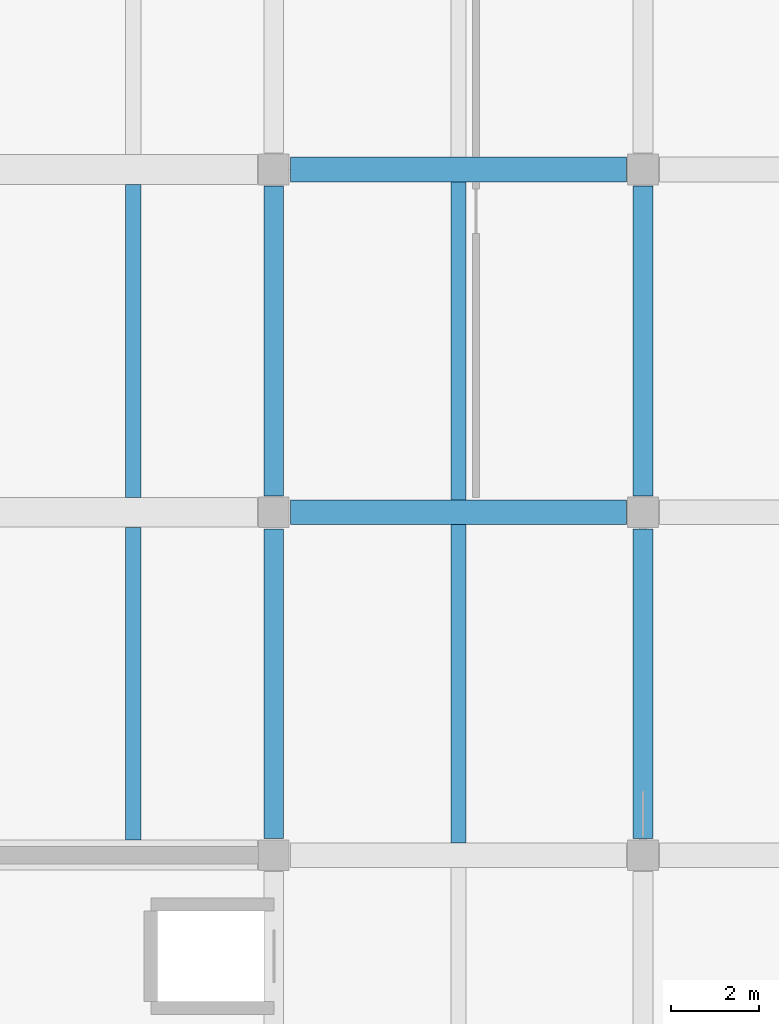
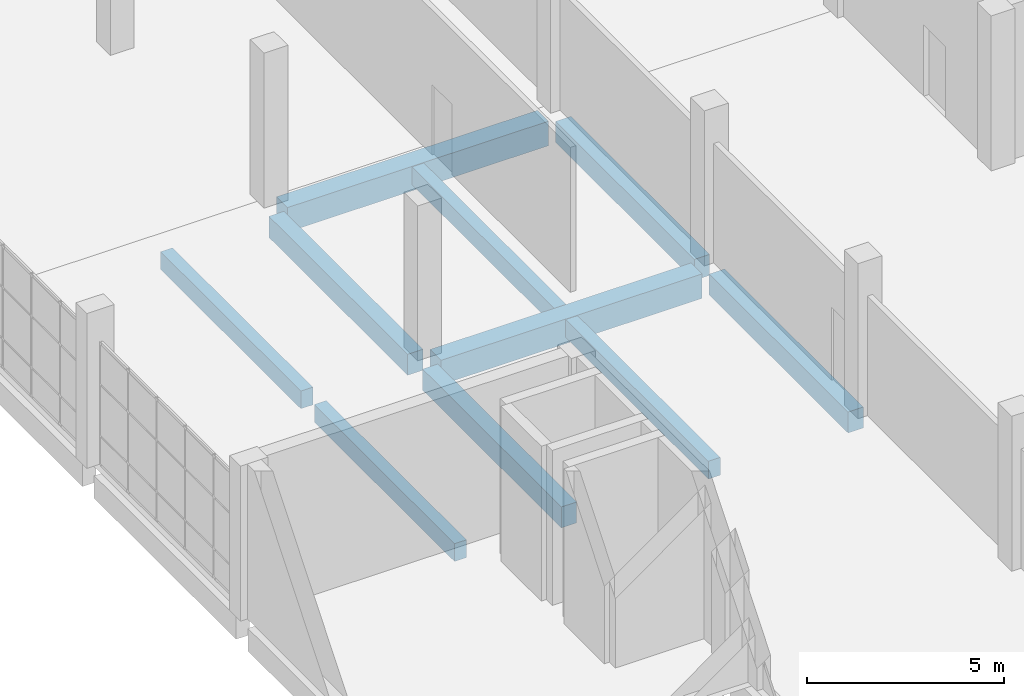
# One storey, part 57 of 91: 10 beams.
"""IFC4 building model written with IfcOpenShell, lengths in metres."""

from ifc_helpers import new_model, si_unit, direction, frame, origin, origin_2d, place, context, subcontext, project, spatial, rectangle, extrude, material, material_profile, profile_set, type_object, element, save


model = new_model("IFC4")

# Units and contexts
model_context = context("Model", 3, precision=1e-05, world=origin(), true_north=direction((0.0, 1.0)))
body_context = subcontext(model_context, "Body", "Model", "MODEL_VIEW")
ifc_project = project(units=[si_unit("LENGTHUNIT", "METRE"), si_unit("AREAUNIT", "SQUARE_METRE"), si_unit("VOLUMEUNIT", "CUBIC_METRE"), si_unit("PLANEANGLEUNIT", "RADIAN"), si_unit("MASSUNIT", "GRAM", prefix="KILO")], contexts=[model_context])

# Site, building, storey
site_placement = place(None, origin())
site = spatial("IfcSite", under=ifc_project, at=site_placement, CompositionType="ELEMENT")
building_placement = place(site_placement, origin())
building = spatial("IfcBuilding", under=site, at=building_placement, Name="Pellamere Symphony Hall", CompositionType="ELEMENT")
storey_placement = place(building_placement, frame((0.0, 0.0, 5.39990234375)))
storey = spatial("IfcBuildingStorey", under=building, at=storey_placement, Name="L01", CompositionType="ELEMENT", Elevation=5.39990234375)

# Beams
ifc_material_1 = material(Name="Concrete 40 MPa", Category="concrete")
ifc_material_profile_1 = material_profile(ifc_material_1, rectangle(XDim=0.449951171875, YDim=0.64990234375, at=origin_2d()), Name="RC 450x650")
ifc_profile_set_1 = profile_set([ifc_material_profile_1], Name="Concrete 40 MPa")
beam_type_1 = type_object("IfcBeamType", Name="RC CB-08 450x650", PredefinedType="BEAM", material=ifc_profile_set_1)
beam_1_placement = place(storey_placement, frame((147.60009765625, 62.175048828125, -0.60498046875), z_axis=(0.0, 1.0, 0.0), x_axis=(-1.0, 0.0, 0.0)))
element("IfcBeam", 1, at=beam_1_placement, inside=storey, type_object=beam_type_1, Name="Girder CB-08-Y0857 (L01)", PredefinedType="BEAM", context=body_context, shape_type="SweptSolid", body=[
    extrude(rectangle(XDim=0.449951171875, YDim=0.64990234375, at=origin_2d()), origin(), (0.0, 0.0, 1.0), 7.050048828125),
])
beam_2_placement = place(storey_placement, frame((147.60009765625, 69.97509765625, -0.60498046875), z_axis=(0.0, 1.0, 0.0), x_axis=(-1.0, 0.0, 0.0)))
element("IfcBeam", 2, at=beam_2_placement, inside=storey, type_object=beam_type_1, Name="Girder CB-08-Y0858 (L01)", PredefinedType="BEAM", context=body_context, shape_type="SweptSolid", body=[
    extrude(rectangle(XDim=0.449951171875, YDim=0.64990234375, at=origin_2d()), origin(), (0.0, 0.0, 1.0), 7.0498046875),
])
beam_3_placement = place(storey_placement, frame((156.0, 62.175048828125, -0.60498046875), z_axis=(0.0, 1.0, 0.0), x_axis=(-1.0, 0.0, 0.0)))
element("IfcBeam", 3, at=beam_3_placement, inside=storey, type_object=beam_type_1, Name="Girder CB-08-Y0868 (L01)", PredefinedType="BEAM", context=body_context, shape_type="SweptSolid", body=[
    extrude(rectangle(XDim=0.449951171875, YDim=0.64990234375, at=origin_2d()), origin(), (0.0, 0.0, 1.0), 7.050048828125),
])
beam_4_placement = place(storey_placement, frame((156.0, 69.97509765625, -0.60498046875), z_axis=(0.0, 1.0, 0.0), x_axis=(-1.0, 0.0, 0.0)))
element("IfcBeam", 4, at=beam_4_placement, inside=storey, type_object=beam_type_1, Name="Girder CB-08-Y0869 (L01)", PredefinedType="BEAM", context=body_context, shape_type="SweptSolid", body=[
    extrude(rectangle(XDim=0.449951171875, YDim=0.64990234375, at=origin_2d()), origin(), (0.0, 0.0, 1.0), 7.0498046875),
])
ifc_material_2 = material(Name="Concrete 35 MPa", Category="concrete")
ifc_material_profile_2 = material_profile(ifc_material_2, rectangle(XDim=0.35009765625, YDim=0.550048828125, at=origin_2d()), Name="RC 350x550")
ifc_profile_set_2 = profile_set([ifc_material_profile_2], Name="Concrete 35 MPa")
beam_type_2 = type_object("IfcBeamType", Name="RC CB-10 350x550", PredefinedType="BEAM", material=ifc_profile_set_2)
for number, where, z_axis, x_axis, name in (
    (5, (144.39990234375, 62.139892578125, -0.56982421875), (0.0, 1.0, 0.0), (-1.0, 0.0, 0.0), "Secondary Floor Beam CB-10-B1708 (L01)"),
    (6, (144.39990234375, 69.93994140625, -0.56982421875), (0.0, 1.0, 0.0), (-1.0, 0.0, 0.0), "Secondary Floor Beam CB-10-B1709 (L01)"),
):
    element("IfcBeam", number, at=place(storey_placement, frame(where, z_axis=z_axis, x_axis=x_axis)), inside=storey, type_object=beam_type_2, Name=name, PredefinedType="BEAM", context=body_context, shape_type="SweptSolid", body=[
        extrude(rectangle(XDim=0.35009765625, YDim=0.550048828125, at=origin_2d()), origin(), (0.0, 0.0, 1.0), 7.1201171875),
    ])
beam_5_placement = place(storey_placement, frame((151.800048828125, 62.080078125, -0.56982421875), z_axis=(0.0, 1.0, 0.0), x_axis=(-1.0, 0.0, 0.0)))
element("IfcBeam", 7, at=beam_5_placement, inside=storey, type_object=beam_type_2, Name="Secondary Floor Beam CB-10-M1808 (L01)", PredefinedType="BEAM", context=body_context, shape_type="SweptSolid", body=[
    extrude(rectangle(XDim=0.35009765625, YDim=0.550048828125, at=origin_2d()), origin(), (0.0, 0.0, 1.0), 7.239990234375),
])
beam_6_placement = place(storey_placement, frame((151.800048828125, 69.8798828125, -0.56982421875), z_axis=(0.0, 1.0, 0.0), x_axis=(-1.0, 0.0, 0.0)))
element("IfcBeam", 8, at=beam_6_placement, inside=storey, type_object=beam_type_2, Name="Secondary Floor Beam CB-10-M1809 (L01)", PredefinedType="BEAM", context=body_context, shape_type="SweptSolid", body=[
    extrude(rectangle(XDim=0.35009765625, YDim=0.550048828125, at=origin_2d()), origin(), (0.0, 0.0, 1.0), 7.240234375),
])
ifc_material_profile_3 = material_profile(ifc_material_1, rectangle(XDim=0.56005859375, YDim=0.760009765625, at=origin_2d()), Name="RC 560x760")
ifc_profile_set_3 = profile_set([ifc_material_profile_3], Name="Concrete 40 MPa")
beam_type_3 = type_object("IfcBeamType", Name="RC CB-18 560x760", PredefinedType="BEAM", material=ifc_profile_set_3)
for number, where, z_axis, x_axis, name in (
    (9, (147.97509765625, 69.60009765625, -0.659912109375), (1.0, 0.0, 0.0), (0.0, 1.0, 0.0), "Girder CB-18-X0657 (L01)"),
    (10, (147.97509765625, 77.39990234375, -0.659912109375), (1.0, 0.0, 0.0), (0.0, 1.0, 0.0), "Girder CB-18-X0670 (L01)"),
):
    element("IfcBeam", number, at=place(storey_placement, frame(where, z_axis=z_axis, x_axis=x_axis)), inside=storey, type_object=beam_type_3, Name=name, PredefinedType="BEAM", context=body_context, shape_type="SweptSolid", body=[
        extrude(rectangle(XDim=0.56005859375, YDim=0.760009765625, at=origin_2d()), origin(), (0.0, 0.0, 1.0), 7.64990234375),
    ])

save(model, "model.ifc")
